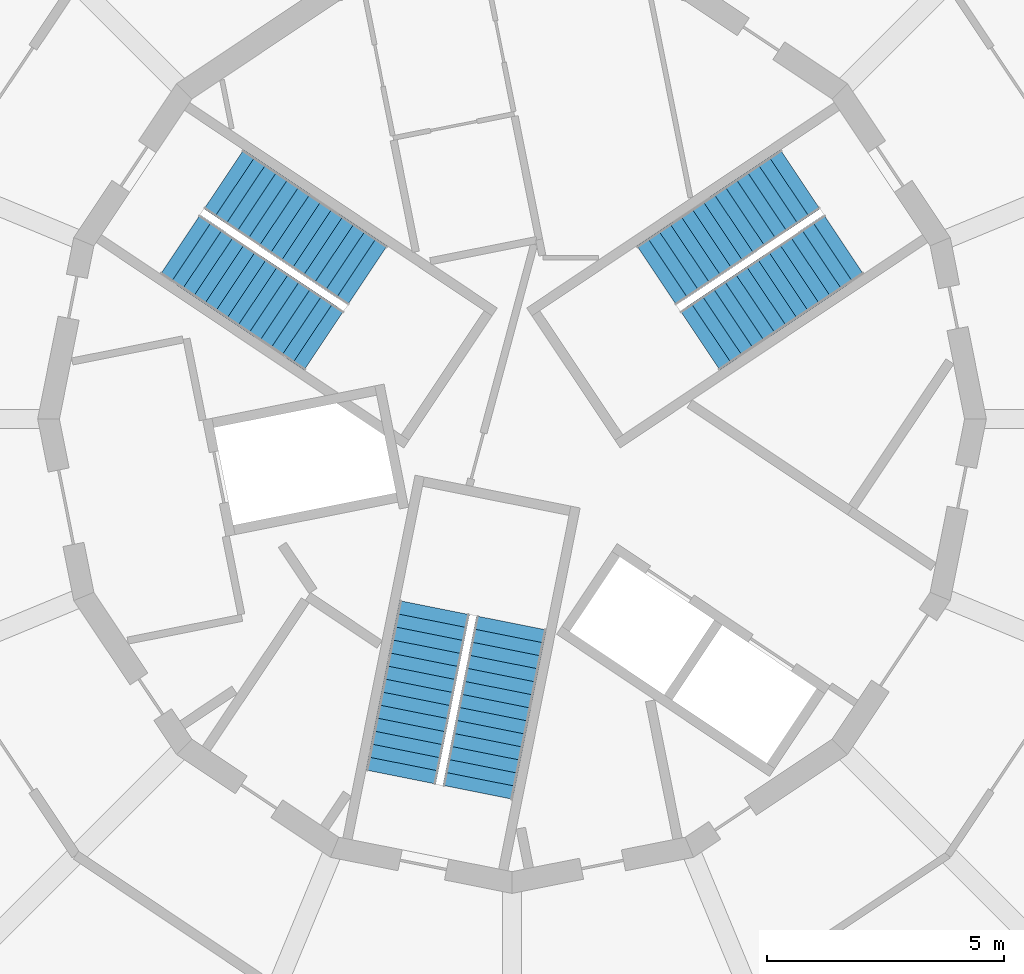
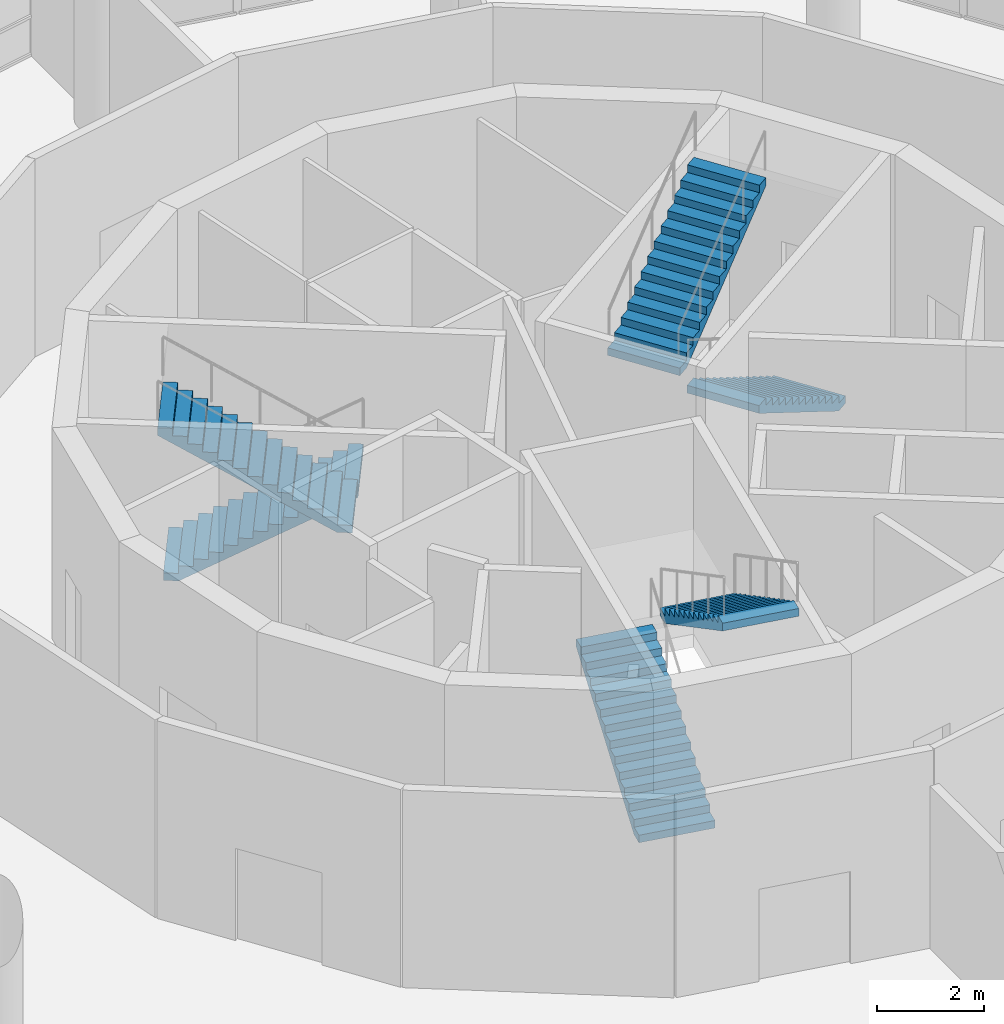
# One storey, part 33 of 40: 6 stair flights, 3 elements without a shape of their own.
"""IFC4 building model written with IfcOpenShell, lengths in metres."""

from ifc_helpers import new_model, si_unit, direction, frame, origin, place, context, subcontext, project, spatial, polyline, outline, extrude, material, type_object, element, aggregate, save


model = new_model("IFC4")

# Units and contexts
model_context = context("Model", 3, precision=1e-05, world=origin(), true_north=direction((0.0, 1.0)))
body_context = subcontext(model_context, "Body", "Model", "MODEL_VIEW")
ifc_project = project(units=[si_unit("LENGTHUNIT", "METRE"), si_unit("AREAUNIT", "SQUARE_METRE"), si_unit("VOLUMEUNIT", "CUBIC_METRE"), si_unit("PLANEANGLEUNIT", "RADIAN"), si_unit("MASSUNIT", "GRAM", prefix="KILO")], contexts=[model_context])

# Site, building, storey
site_placement = place(None, origin())
site = spatial("IfcSite", under=ifc_project, at=site_placement, CompositionType="ELEMENT")
building_placement = place(site_placement, origin())
building = spatial("IfcBuilding", under=site, at=building_placement, Name="Ceibo Conservatory and Research Tower", CompositionType="ELEMENT")
storey_placement = place(building_placement, frame((0.0, 0.0, 6.0)))
storey = spatial("IfcBuildingStorey", under=building, at=storey_placement, Name="L01", CompositionType="ELEMENT", Elevation=6.0)

# Stair, stair flights
ifc_material = material(Name="Concrete C35/45", Category="concrete")
stair_type = type_object("IfcStairType", Name="Escape stair 171 x 280", PredefinedType="HALF_TURN_STAIR", material=ifc_material)
stair_1_placement = place(storey_placement, origin())
stair_1 = element("IfcStair", 1, at=stair_1_placement, inside=storey, type_object=stair_type, Name="Escape stair ST1 01", PredefinedType="HALF_TURN_STAIR")
stair_flight_type = type_object("IfcStairFlightType", Name="Escape stair flight 171", PredefinedType="STRAIGHT", material=ifc_material)
stair_flight_1_placement = place(storey_placement, frame((54.991943359375, 123.6796875, 0.0), z_axis=(0.0, 0.0, 1.0), x_axis=(-0.831469612303, -0.55557023302, 0.0)))
stair_flight_1 = element("IfcStairFlight", 2, at=stair_flight_1_placement, type_object=stair_flight_type, Name="ST1 flight 1", NumberOfRisers=14, NumberOfTreads=13, PredefinedType="STRAIGHT", RiserHeight=0.171428571, TreadLength=0.28, context=body_context, shape_type="SweptSolid", body=[
    extrude(outline(polyline([(0.0, 0.0), (0.0, 0.17138671875), (0.280029296875, 0.17138671875), (0.280029296875, 0.3427734375), (0.56005859375, 0.3427734375), (0.56005859375, 0.514404296875), (0.840087890625, 0.514404296875), (0.840087890625, 0.685791015625), (1.1201171875, 0.685791015625), (1.1201171875, 0.857177734375), (1.39990234375, 0.857177734375), (1.39990234375, 1.028564453125), (1.679931640625, 1.028564453125), (1.679931640625, 1.199951171875), (1.9599609375, 1.199951171875), (1.9599609375, 1.371337890625), (2.239990234375, 1.371337890625), (2.239990234375, 1.54296875), (2.52001953125, 1.54296875), (2.52001953125, 1.71435546875), (2.800048828125, 1.71435546875), (2.800048828125, 1.8857421875), (3.080078125, 1.8857421875), (3.080078125, 2.05712890625), (3.360107421875, 2.05712890625), (3.360107421875, 2.228515625), (3.639892578125, 2.228515625), (3.639892578125, 2.39990234375), (3.639892578125, 2.052734375), (0.287109375, 0.0), (0.0, 0.0)])), frame((0.0, 0.75, 0.0), z_axis=(0.0, -1.0, 0.0), x_axis=(1.0, 0.0, 0.0)), (0.0, 0.0, 1.0), 1.5),
])
stair_flight_2_placement = place(storey_placement, frame((51.048583984375, 123.029296875, 2.39990234375), z_axis=(0.0, 0.0, 1.0), x_axis=(0.831469612303, 0.55557023302, 0.0)))
stair_flight_2 = element("IfcStairFlight", 3, at=stair_flight_2_placement, type_object=stair_flight_type, Name="ST1 flight 2", NumberOfRisers=14, NumberOfTreads=13, PredefinedType="STRAIGHT", RiserHeight=0.171428571, TreadLength=0.28, context=body_context, shape_type="SweptSolid", body=[
    extrude(outline(polyline([(0.0, 0.0), (0.0, 0.17138671875), (0.280029296875, 0.17138671875), (0.280029296875, 0.3427734375), (0.56005859375, 0.3427734375), (0.56005859375, 0.514404296875), (0.840087890625, 0.514404296875), (0.840087890625, 0.685791015625), (1.1201171875, 0.685791015625), (1.1201171875, 0.857177734375), (1.39990234375, 0.857177734375), (1.39990234375, 1.028564453125), (1.679931640625, 1.028564453125), (1.679931640625, 1.199951171875), (1.9599609375, 1.199951171875), (1.9599609375, 1.371337890625), (2.239990234375, 1.371337890625), (2.239990234375, 1.54296875), (2.52001953125, 1.54296875), (2.52001953125, 1.71435546875), (2.800048828125, 1.71435546875), (2.800048828125, 1.8857421875), (3.080078125, 1.8857421875), (3.080078125, 2.05712890625), (3.360107421875, 2.05712890625), (3.360107421875, 2.228515625), (3.639892578125, 2.228515625), (3.639892578125, 2.39990234375), (3.639892578125, 2.052734375), (0.287109375, 0.0), (0.0, 0.0)])), frame((0.0, 0.75, 0.0), z_axis=(0.0, -1.0, 0.0), x_axis=(1.0, 0.0, 0.0)), (0.0, 0.0, 1.0), 1.5),
])
aggregate(stair_1, [stair_flight_1, stair_flight_2])

stair_2_placement = place(storey_placement, origin())
stair_2 = element("IfcStair", 4, at=stair_2_placement, inside=storey, type_object=stair_type, Name="Escape stair ST2 01", PredefinedType="HALF_TURN_STAIR")
stair_flight_3_placement = place(storey_placement, frame((41.9248046875, 125.051513671875, 0.0), z_axis=(0.0, 0.0, 1.0), x_axis=(0.831469612303, -0.55557023302, 0.0)))
stair_flight_3 = element("IfcStairFlight", 5, at=stair_flight_3_placement, type_object=stair_flight_type, Name="ST2 flight 1", NumberOfRisers=14, NumberOfTreads=13, PredefinedType="STRAIGHT", RiserHeight=0.171428571, TreadLength=0.28, context=body_context, shape_type="SweptSolid", body=[
    extrude(outline(polyline([(0.0, 0.0), (0.0, 0.17138671875), (0.280029296875, 0.17138671875), (0.280029296875, 0.3427734375), (0.56005859375, 0.3427734375), (0.56005859375, 0.514404296875), (0.840087890625, 0.514404296875), (0.840087890625, 0.685791015625), (1.1201171875, 0.685791015625), (1.1201171875, 0.857177734375), (1.39990234375, 0.857177734375), (1.39990234375, 1.028564453125), (1.679931640625, 1.028564453125), (1.679931640625, 1.199951171875), (1.9599609375, 1.199951171875), (1.9599609375, 1.371337890625), (2.239990234375, 1.371337890625), (2.239990234375, 1.54296875), (2.52001953125, 1.54296875), (2.52001953125, 1.71435546875), (2.800048828125, 1.71435546875), (2.800048828125, 1.8857421875), (3.080078125, 1.8857421875), (3.080078125, 2.05712890625), (3.360107421875, 2.05712890625), (3.360107421875, 2.228515625), (3.639892578125, 2.228515625), (3.639892578125, 2.39990234375), (3.639892578125, 2.052734375), (0.287109375, 0.0), (0.0, 0.0)])), frame((0.0, 0.75, 0.0), z_axis=(0.0, -1.0, 0.0), x_axis=(1.0, 0.0, 0.0)), (0.0, 0.0, 1.0), 1.5),
])
stair_flight_4_placement = place(storey_placement, frame((44.03466796875, 121.657470703125, 2.39990234375), z_axis=(0.0, 0.0, 1.0), x_axis=(-0.831469612303, 0.55557023302, 0.0)))
stair_flight_4 = element("IfcStairFlight", 6, at=stair_flight_4_placement, type_object=stair_flight_type, Name="ST2 flight 2", NumberOfRisers=14, NumberOfTreads=13, PredefinedType="STRAIGHT", RiserHeight=0.171428571, TreadLength=0.28, context=body_context, shape_type="SweptSolid", body=[
    extrude(outline(polyline([(0.0, 0.0), (0.0, 0.17138671875), (0.280029296875, 0.17138671875), (0.280029296875, 0.3427734375), (0.56005859375, 0.3427734375), (0.56005859375, 0.514404296875), (0.840087890625, 0.514404296875), (0.840087890625, 0.685791015625), (1.1201171875, 0.685791015625), (1.1201171875, 0.857177734375), (1.39990234375, 0.857177734375), (1.39990234375, 1.028564453125), (1.679931640625, 1.028564453125), (1.679931640625, 1.199951171875), (1.9599609375, 1.199951171875), (1.9599609375, 1.371337890625), (2.239990234375, 1.371337890625), (2.239990234375, 1.54296875), (2.52001953125, 1.54296875), (2.52001953125, 1.71435546875), (2.800048828125, 1.71435546875), (2.800048828125, 1.8857421875), (3.080078125, 1.8857421875), (3.080078125, 2.05712890625), (3.360107421875, 2.05712890625), (3.360107421875, 2.228515625), (3.639892578125, 2.228515625), (3.639892578125, 2.39990234375), (3.639892578125, 2.052734375), (0.287109375, 0.0), (0.0, 0.0)])), frame((0.0, 0.75, 0.0), z_axis=(0.0, -1.0, 0.0), x_axis=(1.0, 0.0, 0.0)), (0.0, 0.0, 1.0), 1.5),
])
aggregate(stair_2, [stair_flight_3, stair_flight_4])

stair_3_placement = place(storey_placement, origin())
stair_3 = element("IfcStair", 7, at=stair_3_placement, inside=storey, type_object=stair_type, Name="Escape stair ST3 01", PredefinedType="HALF_TURN_STAIR")
stair_flight_5_placement = place(storey_placement, frame((45.657958984375, 112.4541015625, 0.0), z_axis=(0.0, 0.0, 1.0), x_axis=(0.195090322016, 0.980785280403, 0.0)))
stair_flight_5 = element("IfcStairFlight", 8, at=stair_flight_5_placement, type_object=stair_flight_type, Name="ST3 flight 1", NumberOfRisers=14, NumberOfTreads=13, PredefinedType="STRAIGHT", RiserHeight=0.171428571, TreadLength=0.28, context=body_context, shape_type="SweptSolid", body=[
    extrude(outline(polyline([(0.0, 0.0), (0.0, 0.17138671875), (0.280029296875, 0.17138671875), (0.280029296875, 0.3427734375), (0.56005859375, 0.3427734375), (0.56005859375, 0.514404296875), (0.840087890625, 0.514404296875), (0.840087890625, 0.685791015625), (1.1201171875, 0.685791015625), (1.1201171875, 0.857177734375), (1.39990234375, 0.857177734375), (1.39990234375, 1.028564453125), (1.679931640625, 1.028564453125), (1.679931640625, 1.199951171875), (1.9599609375, 1.199951171875), (1.9599609375, 1.371337890625), (2.239990234375, 1.371337890625), (2.239990234375, 1.54296875), (2.52001953125, 1.54296875), (2.52001953125, 1.71435546875), (2.800048828125, 1.71435546875), (2.800048828125, 1.8857421875), (3.080078125, 1.8857421875), (3.080078125, 2.05712890625), (3.360107421875, 2.05712890625), (3.360107421875, 2.228515625), (3.639892578125, 2.228515625), (3.639892578125, 2.39990234375), (3.639892578125, 2.052734375), (0.287109375, 0.0), (0.0, 0.0)])), frame((0.0, 0.75, 0.0), z_axis=(0.0, -1.0, 0.0), x_axis=(1.0, 0.0, 0.0)), (0.0, 0.0, 1.0), 1.5),
])
stair_flight_6_placement = place(storey_placement, frame((47.986328125, 115.7021484375, 2.39990234375), z_axis=(0.0, 0.0, 1.0), x_axis=(-0.195090322016, -0.980785280403, 0.0)))
stair_flight_6 = element("IfcStairFlight", 9, at=stair_flight_6_placement, type_object=stair_flight_type, Name="ST3 flight 2", NumberOfRisers=14, NumberOfTreads=13, PredefinedType="STRAIGHT", RiserHeight=0.171428571, TreadLength=0.28, context=body_context, shape_type="SweptSolid", body=[
    extrude(outline(polyline([(0.0, 0.0), (0.0, 0.17138671875), (0.280029296875, 0.17138671875), (0.280029296875, 0.3427734375), (0.56005859375, 0.3427734375), (0.56005859375, 0.514404296875), (0.840087890625, 0.514404296875), (0.840087890625, 0.685791015625), (1.1201171875, 0.685791015625), (1.1201171875, 0.857177734375), (1.39990234375, 0.857177734375), (1.39990234375, 1.028564453125), (1.679931640625, 1.028564453125), (1.679931640625, 1.199951171875), (1.9599609375, 1.199951171875), (1.9599609375, 1.371337890625), (2.239990234375, 1.371337890625), (2.239990234375, 1.54296875), (2.52001953125, 1.54296875), (2.52001953125, 1.71435546875), (2.800048828125, 1.71435546875), (2.800048828125, 1.8857421875), (3.080078125, 1.8857421875), (3.080078125, 2.05712890625), (3.360107421875, 2.05712890625), (3.360107421875, 2.228515625), (3.639892578125, 2.228515625), (3.639892578125, 2.39990234375), (3.639892578125, 2.052734375), (0.287109375, 0.0), (0.0, 0.0)])), frame((0.0, 0.75, 0.0), z_axis=(0.0, -1.0, 0.0), x_axis=(1.0, 0.0, 0.0)), (0.0, 0.0, 1.0), 1.5),
])
aggregate(stair_3, [stair_flight_5, stair_flight_6])

save(model, "model.ifc")
